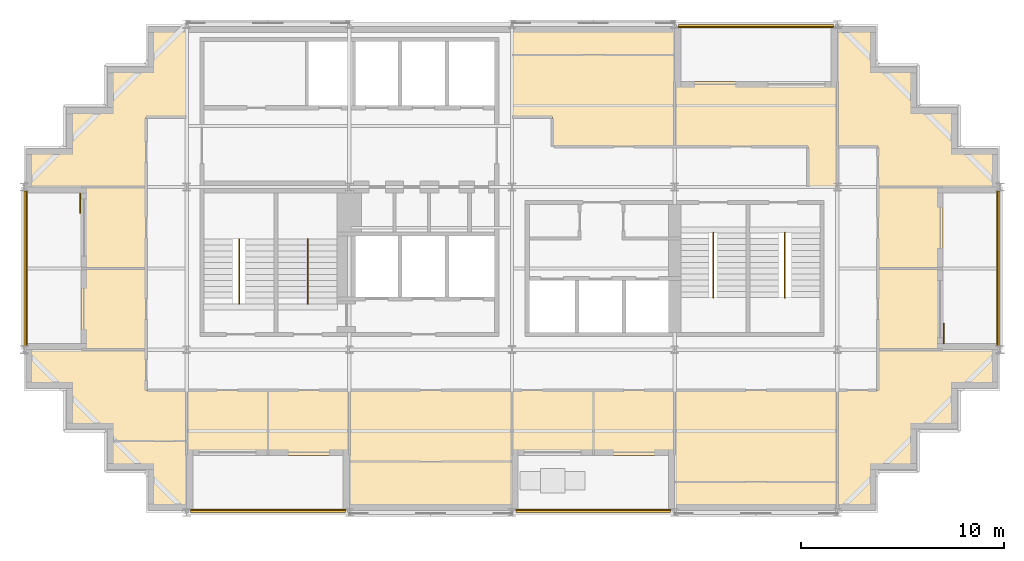
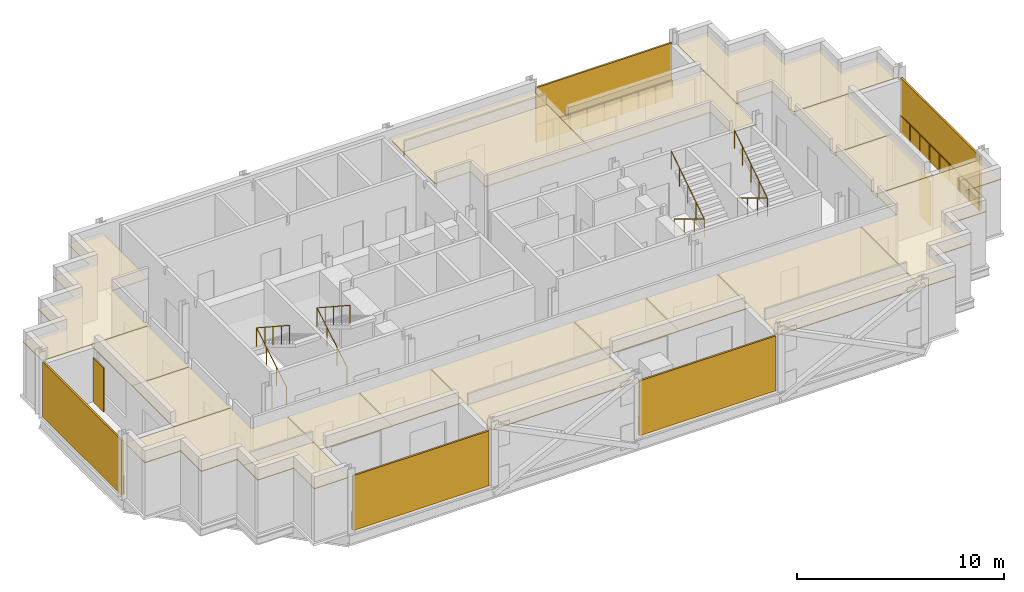
# One storey, part 9 of 10: 20 coverings, 9 railings, 7 shading devices.
"""IFC4 building model written with IfcOpenShell, lengths in metres."""

from ifc_helpers import new_model, si_unit, direction, frame, origin, origin_2d, place, context, subcontext, project, spatial, polyline, rectangle, circle, outline, extrude, material, layer, layer_set, type_object, element, save


model = new_model("IFC4")

# Units and contexts
model_context = context("Model", 3, precision=1e-05, world=origin(), true_north=direction((0.0, 1.0)))
body_context = subcontext(model_context, "Body", "Model", "MODEL_VIEW")
ifc_project = project(units=[si_unit("LENGTHUNIT", "METRE"), si_unit("AREAUNIT", "SQUARE_METRE"), si_unit("VOLUMEUNIT", "CUBIC_METRE"), si_unit("PLANEANGLEUNIT", "RADIAN"), si_unit("MASSUNIT", "GRAM", prefix="KILO")], contexts=[model_context])

# Site, building, storey
site_placement = place(None, origin())
site = spatial("IfcSite", under=ifc_project, at=site_placement, CompositionType="ELEMENT")
building_placement = place(site_placement, origin())
building = spatial("IfcBuilding", under=site, at=building_placement, Name="Immortelle Media Tower", CompositionType="ELEMENT")
storey_placement = place(building_placement, frame((0.0, 0.0, 255.0)))
storey = spatial("IfcBuildingStorey", under=building, at=storey_placement, Name="L55", CompositionType="ELEMENT", Elevation=255.0)

# Railings
ifc_material_1 = material(Name="Powder-coated aluminium fretwork panel, laminated glass backing", Category="aluminium")
railing_type_1 = type_object("IfcRailingType", Name="Fretwork balustrade 1100", PredefinedType="BALUSTRADE", material=ifc_material_1)
railing_1_placement = place(storey_placement, frame((8.197021484375, 0.139892578125, 0.0)))
element("IfcRailing", 1, at=railing_1_placement, inside=storey, type_object=railing_type_1, Name="Fretwork balustrade L55 S0", PredefinedType="BALUSTRADE", context=body_context, shape_type="SweptSolid", body=[
    extrude(circle(Radius=0.02490234375, at=origin_2d()), frame((0.0, 0.0, 1.0751953125), z_axis=(1.0, 0.0, 0.0), x_axis=(0.0, 1.0, 0.0)), (0.0, 0.0, 1.0), 7.6025390625),
    extrude(circle(Radius=0.02001953125, at=origin_2d()), origin(), (0.0, 0.0, 1.0), 1.050048828125),
    extrude(circle(Radius=0.02001953125, at=origin_2d()), frame((0.9501953125, 0.0, 0.0)), (0.0, 0.0, 1.0), 1.050048828125),
    extrude(circle(Radius=0.02001953125, at=origin_2d()), frame((1.900634765625, 0.0, 0.0)), (0.0, 0.0, 1.0), 1.050048828125),
    extrude(circle(Radius=0.02001953125, at=origin_2d()), frame((2.85107421875, 0.0, 0.0)), (0.0, 0.0, 1.0), 1.050048828125),
    extrude(circle(Radius=0.02001953125, at=origin_2d()), frame((3.80126953125, 0.0, 0.0)), (0.0, 0.0, 1.0), 1.050048828125),
    extrude(circle(Radius=0.02001953125, at=origin_2d()), frame((4.75146484375, 0.0, 0.0)), (0.0, 0.0, 1.0), 1.050048828125),
    extrude(circle(Radius=0.02001953125, at=origin_2d()), frame((5.701904296875, 0.0, 0.0)), (0.0, 0.0, 1.0), 1.050048828125),
    extrude(circle(Radius=0.02001953125, at=origin_2d()), frame((6.65234375, 0.0, 0.0)), (0.0, 0.0, 1.0), 1.050048828125),
    extrude(circle(Radius=0.02001953125, at=origin_2d()), frame((7.6025390625, 0.0, 0.0)), (0.0, 0.0, 1.0), 1.050048828125),
])
railing_2_placement = place(storey_placement, frame((24.200439453125, 0.139892578125, 0.0)))
element("IfcRailing", 2, at=railing_2_placement, inside=storey, type_object=railing_type_1, Name="Fretwork balustrade L55 S2", PredefinedType="BALUSTRADE", context=body_context, shape_type="SweptSolid", body=[
    extrude(circle(Radius=0.02490234375, at=origin_2d()), frame((0.0, 0.0, 1.0751953125), z_axis=(1.0, 0.0, 0.0), x_axis=(0.0, 1.0, 0.0)), (0.0, 0.0, 1.0), 7.59912109375),
    extrude(circle(Radius=0.02001953125, at=origin_2d()), origin(), (0.0, 0.0, 1.0), 1.050048828125),
    extrude(circle(Radius=0.02001953125, at=origin_2d()), frame((0.949951171875, 0.0, 0.0)), (0.0, 0.0, 1.0), 1.050048828125),
    extrude(circle(Radius=0.02001953125, at=origin_2d()), frame((1.89990234375, 0.0, 0.0)), (0.0, 0.0, 1.0), 1.050048828125),
    extrude(circle(Radius=0.02001953125, at=origin_2d()), frame((2.849609375, 0.0, 0.0)), (0.0, 0.0, 1.0), 1.050048828125),
    extrude(circle(Radius=0.02001953125, at=origin_2d()), frame((3.799560546875, 0.0, 0.0)), (0.0, 0.0, 1.0), 1.050048828125),
    extrude(circle(Radius=0.02001953125, at=origin_2d()), frame((4.74951171875, 0.0, 0.0)), (0.0, 0.0, 1.0), 1.050048828125),
    extrude(circle(Radius=0.02001953125, at=origin_2d()), frame((5.69921875, 0.0, 0.0)), (0.0, 0.0, 1.0), 1.050048828125),
    extrude(circle(Radius=0.02001953125, at=origin_2d()), frame((6.649169921875, 0.0, 0.0)), (0.0, 0.0, 1.0), 1.050048828125),
    extrude(circle(Radius=0.02001953125, at=origin_2d()), frame((7.59912109375, 0.0, 0.0)), (0.0, 0.0, 1.0), 1.050048828125),
])
railing_3_placement = place(storey_placement, frame((47.860107421875, 8.18798828125, 0.0)))
element("IfcRailing", 3, at=railing_3_placement, inside=storey, type_object=railing_type_1, Name="Fretwork balustrade L55 E0", PredefinedType="BALUSTRADE", context=body_context, shape_type="SweptSolid", body=[
    extrude(circle(Radius=0.02490234375, at=origin_2d()), frame((0.0, 0.0, 1.0751953125), z_axis=(0.0, 1.0, 0.0), x_axis=(-1.0, 0.0, 0.0)), (0.0, 0.0, 1.0), 7.6240234375),
    extrude(circle(Radius=0.02001953125, at=origin_2d()), origin(), (0.0, 0.0, 1.0), 1.050048828125),
    extrude(circle(Radius=0.02001953125, at=origin_2d()), frame((0.0, 0.953125, 0.0)), (0.0, 0.0, 1.0), 1.050048828125),
    extrude(circle(Radius=0.02001953125, at=origin_2d()), frame((0.0, 1.906005859375, 0.0)), (0.0, 0.0, 1.0), 1.050048828125),
    extrude(circle(Radius=0.02001953125, at=origin_2d()), frame((0.0, 2.85888671875, 0.0)), (0.0, 0.0, 1.0), 1.050048828125),
    extrude(circle(Radius=0.02001953125, at=origin_2d()), frame((0.0, 3.81201171875, 0.0)), (0.0, 0.0, 1.0), 1.050048828125),
    extrude(circle(Radius=0.02001953125, at=origin_2d()), frame((0.0, 4.76513671875, 0.0)), (0.0, 0.0, 1.0), 1.050048828125),
    extrude(circle(Radius=0.02001953125, at=origin_2d()), frame((0.0, 5.718017578125, 0.0)), (0.0, 0.0, 1.0), 1.050048828125),
    extrude(circle(Radius=0.02001953125, at=origin_2d()), frame((0.0, 6.6708984375, 0.0)), (0.0, 0.0, 1.0), 1.050048828125),
    extrude(circle(Radius=0.02001953125, at=origin_2d()), frame((0.0, 7.6240234375, 0.0)), (0.0, 0.0, 1.0), 1.050048828125),
])
railing_4_placement = place(storey_placement, frame((39.802978515625, 23.860107421875, 0.0)))
element("IfcRailing", 4, at=railing_4_placement, inside=storey, type_object=railing_type_1, Name="Fretwork balustrade L55 N0", PredefinedType="BALUSTRADE", context=body_context, shape_type="SweptSolid", body=[
    extrude(circle(Radius=0.02490234375, at=origin_2d()), frame((0.0, 0.0, 1.0751953125), z_axis=(-1.0, 0.0, 0.0), x_axis=(0.0, -1.0, 0.0)), (0.0, 0.0, 1.0), 7.6025390625),
    extrude(circle(Radius=0.02001953125, at=origin_2d()), origin(), (0.0, 0.0, 1.0), 1.050048828125),
    extrude(circle(Radius=0.02001953125, at=origin_2d()), frame((-0.9501953125, 0.0, 0.0)), (0.0, 0.0, 1.0), 1.050048828125),
    extrude(circle(Radius=0.02001953125, at=origin_2d()), frame((-1.900634765625, 0.0, 0.0)), (0.0, 0.0, 1.0), 1.050048828125),
    extrude(circle(Radius=0.02001953125, at=origin_2d()), frame((-2.85107421875, 0.0, 0.0)), (0.0, 0.0, 1.0), 1.050048828125),
    extrude(circle(Radius=0.02001953125, at=origin_2d()), frame((-3.80126953125, 0.0, 0.0)), (0.0, 0.0, 1.0), 1.050048828125),
    extrude(circle(Radius=0.02001953125, at=origin_2d()), frame((-4.75146484375, 0.0, 0.0)), (0.0, 0.0, 1.0), 1.050048828125),
    extrude(circle(Radius=0.02001953125, at=origin_2d()), frame((-5.701904296875, 0.0, 0.0)), (0.0, 0.0, 1.0), 1.050048828125),
    extrude(circle(Radius=0.02001953125, at=origin_2d()), frame((-6.65234375, 0.0, 0.0)), (0.0, 0.0, 1.0), 1.050048828125),
    extrude(circle(Radius=0.02001953125, at=origin_2d()), frame((-7.6025390625, 0.0, 0.0)), (0.0, 0.0, 1.0), 1.050048828125),
])
railing_5_placement = place(storey_placement, frame((0.139892578125, 15.81201171875, 0.0)))
element("IfcRailing", 5, at=railing_5_placement, inside=storey, type_object=railing_type_1, Name="Fretwork balustrade L55 W0", PredefinedType="BALUSTRADE", context=body_context, shape_type="SweptSolid", body=[
    extrude(circle(Radius=0.02490234375, at=origin_2d()), frame((0.0, 0.0, 1.0751953125), z_axis=(0.0, -1.0, 0.0), x_axis=(1.0, 0.0, 0.0)), (0.0, 0.0, 1.0), 7.6240234375),
    extrude(circle(Radius=0.02001953125, at=origin_2d()), origin(), (0.0, 0.0, 1.0), 1.050048828125),
    extrude(circle(Radius=0.02001953125, at=origin_2d()), frame((0.0, -0.953125, 0.0)), (0.0, 0.0, 1.0), 1.050048828125),
    extrude(circle(Radius=0.02001953125, at=origin_2d()), frame((0.0, -1.906005859375, 0.0)), (0.0, 0.0, 1.0), 1.050048828125),
    extrude(circle(Radius=0.02001953125, at=origin_2d()), frame((0.0, -2.85888671875, 0.0)), (0.0, 0.0, 1.0), 1.050048828125),
    extrude(circle(Radius=0.02001953125, at=origin_2d()), frame((0.0, -3.81201171875, 0.0)), (0.0, 0.0, 1.0), 1.050048828125),
    extrude(circle(Radius=0.02001953125, at=origin_2d()), frame((0.0, -4.76513671875, 0.0)), (0.0, 0.0, 1.0), 1.050048828125),
    extrude(circle(Radius=0.02001953125, at=origin_2d()), frame((0.0, -5.718017578125, 0.0)), (0.0, 0.0, 1.0), 1.050048828125),
    extrude(circle(Radius=0.02001953125, at=origin_2d()), frame((0.0, -6.6708984375, 0.0)), (0.0, 0.0, 1.0), 1.050048828125),
    extrude(circle(Radius=0.02001953125, at=origin_2d()), frame((0.0, -7.6240234375, 0.0)), (0.0, 0.0, 1.0), 1.050048828125),
])

# Shading devices
ifc_material_2 = material(Name="Pale aluminium louvre blades", Category="aluminium")
ifc_layer_1 = layer(ifc_material_2, 0.10009765625)
ifc_layer_set_1 = layer_set([ifc_layer_1], Name="Pale aluminium louvre blades")
shading_device_type_1 = type_object("IfcShadingDeviceType", Name="Jalousie screen 100", PredefinedType="JALOUSIE", material=ifc_layer_set_1)
shading_device_1_placement = place(storey_placement, frame((11.998291015625, 0.050048828125, 0.0), z_axis=(0.0, 0.0, 1.0), x_axis=(1.0, 0.0, 0.0)))
element("IfcShadingDevice", 6, at=shading_device_1_placement, inside=storey, type_object=shading_device_type_1, Name="Jalousie screen L55 S0", PredefinedType="JALOUSIE", context=body_context, shape_type="SweptSolid", body=[
    extrude(rectangle(XDim=7.6025390625, YDim=0.10009765625, at=origin_2d()), origin(), (0.0, 0.0, 1.0), 3.238037109375),
])
shading_device_2_placement = place(storey_placement, frame((28.0, 0.050048828125, 0.0), z_axis=(0.0, 0.0, 1.0), x_axis=(1.0, 0.0, 0.0)))
element("IfcShadingDevice", 7, at=shading_device_2_placement, inside=storey, type_object=shading_device_type_1, Name="Jalousie screen L55 S2", PredefinedType="JALOUSIE", context=body_context, shape_type="SweptSolid", body=[
    extrude(rectangle(XDim=7.59912109375, YDim=0.10009765625, at=origin_2d()), origin(), (0.0, 0.0, 1.0), 3.238037109375),
])
shading_device_3_placement = place(storey_placement, frame((47.949951171875, 12.0, 0.0), z_axis=(0.0, 0.0, 1.0), x_axis=(0.0, 1.0, 0.0)))
element("IfcShadingDevice", 8, at=shading_device_3_placement, inside=storey, type_object=shading_device_type_1, Name="Jalousie screen L55 E0", PredefinedType="JALOUSIE", context=body_context, shape_type="SweptSolid", body=[
    extrude(rectangle(XDim=7.6240234375, YDim=0.10009765625, at=origin_2d()), origin(), (0.0, 0.0, 1.0), 3.238037109375),
])
shading_device_4_placement = place(storey_placement, frame((36.001708984375, 23.949951171875, 0.0), z_axis=(0.0, 0.0, 1.0), x_axis=(-1.0, 0.0, 0.0)))
element("IfcShadingDevice", 9, at=shading_device_4_placement, inside=storey, type_object=shading_device_type_1, Name="Jalousie screen L55 N0", PredefinedType="JALOUSIE", context=body_context, shape_type="SweptSolid", body=[
    extrude(rectangle(XDim=7.6025390625, YDim=0.10009765625, at=origin_2d()), origin(), (0.0, 0.0, 1.0), 3.238037109375),
])
shading_device_5_placement = place(storey_placement, frame((0.050048828125, 12.0, 0.0), z_axis=(0.0, 0.0, 1.0), x_axis=(0.0, -1.0, 0.0)))
element("IfcShadingDevice", 10, at=shading_device_5_placement, inside=storey, type_object=shading_device_type_1, Name="Jalousie screen L55 W0", PredefinedType="JALOUSIE", context=body_context, shape_type="SweptSolid", body=[
    extrude(rectangle(XDim=7.6240234375, YDim=0.10009765625, at=origin_2d()), origin(), (0.0, 0.0, 1.0), 3.238037109375),
])
ifc_material_3 = material(Name="Pale aluminium louvre blades in a folding frame", Category="aluminium")
ifc_layer_2 = layer(ifc_material_3, 0.050048828125)
ifc_layer_set_2 = layer_set([ifc_layer_2], Name="Pale aluminium louvre blades in a folding frame")
shading_device_type_2 = type_object("IfcShadingDeviceType", Name="Louvred loggia shutter", PredefinedType="SHUTTER", material=ifc_layer_set_2)
for number, where, z_axis, x_axis, name in (
    (11, (45.22509765625, 8.800048828125, 0.0), (0.0, 0.0, 1.0), (0.0, 1.0, 0.0), "Loggia shutter L55 E0"),
    (12, (2.77490234375, 15.199951171875, 0.0), (0.0, 0.0, 1.0), (0.0, -1.0, 0.0), "Loggia shutter L55 W0"),
):
    element("IfcShadingDevice", number, at=place(storey_placement, frame(where, z_axis=z_axis, x_axis=x_axis)), inside=storey, type_object=shading_device_type_2, Name=name, PredefinedType="SHUTTER", context=body_context, shape_type="SweptSolid", body=[
        extrude(rectangle(XDim=1.0, YDim=0.050048828125, at=origin_2d()), origin(), (0.0, 0.0, 1.0), 2.60009765625),
    ])

# Railings
ifc_material_4 = material(Name="Stainless steel AISI 316", Category="steel")
railing_type_2 = type_object("IfcRailingType", Name="Stair guard 1100", PredefinedType="GUARDRAIL", material=ifc_material_4)
for number, where, name in (
    (13, (10.574951171875, 10.5400390625, 0.173828125), "Stair guard SW1"),
    (14, (13.949951171875, 10.5400390625, 0.173828125), "Stair guard SW2"),
):
    element("IfcRailing", number, at=place(storey_placement, frame(where)), inside=storey, type_object=railing_type_2, Name=name, PredefinedType="GUARDRAIL", context=body_context, shape_type="SweptSolid", body=[
        extrude(circle(Radius=0.02392578125, at=origin_2d()), frame((0.0, 0.0, 1.076171875), z_axis=(0.0, 0.857582100076, 0.514347102285), x_axis=(-1.0, 0.0, 0.0)), (0.0, 0.0, 1.0), 3.381591796875),
        extrude(circle(Radius=0.02392578125, at=origin_2d()), frame((0.0, 2.89990234375, 2.8154296875), z_axis=(0.0, -0.836827423118, 0.547466769693), x_axis=(1.0, 0.0, 0.0)), (0.0, 0.0, 1.0), 3.81201171875),
        extrude(circle(Radius=0.02099609375, at=origin_2d()), origin(), (0.0, 0.0, 1.0), 1.052001953125),
        extrude(circle(Radius=0.02099609375, at=origin_2d()), frame((0.0, 0.966552734375, 0.579833984375)), (0.0, 0.0, 1.0), 1.052001953125),
        extrude(circle(Radius=0.02099609375, at=origin_2d()), frame((0.0, 1.933349609375, 1.159423828125)), (0.0, 0.0, 1.0), 1.052001953125),
        extrude(circle(Radius=0.02099609375, at=origin_2d()), frame((0.0, 2.89990234375, 1.7392578125)), (0.0, 0.0, 1.0), 1.052001953125),
        extrude(circle(Radius=0.02099609375, at=origin_2d()), frame((0.0, 2.1025390625, 2.260986328125)), (0.0, 0.0, 1.0), 1.052001953125),
        extrude(circle(Radius=0.02099609375, at=origin_2d()), frame((0.0, 1.304931640625, 2.78271484375)), (0.0, 0.0, 1.0), 1.052001953125),
        extrude(circle(Radius=0.02099609375, at=origin_2d()), frame((0.0, 0.50732421875, 3.304443359375)), (0.0, 0.0, 1.0), 1.052001953125),
        extrude(circle(Radius=0.02099609375, at=origin_2d()), frame((0.0, -0.2900390625, 3.826171875)), (0.0, 0.0, 1.0), 1.052001953125),
    ])
for number, where, name in (
    (15, (33.89990234375, 13.4599609375, 0.173828125), "Stair guard SE1"),
    (16, (37.425048828125, 13.4599609375, 0.173828125), "Stair guard SE2"),
):
    element("IfcRailing", number, at=place(storey_placement, frame(where)), inside=storey, type_object=railing_type_2, Name=name, PredefinedType="GUARDRAIL", context=body_context, shape_type="SweptSolid", body=[
        extrude(circle(Radius=0.02392578125, at=origin_2d()), frame((0.0, 0.0, 1.076171875), z_axis=(0.0, -0.857582100076, 0.514347102285), x_axis=(1.0, 0.0, 0.0)), (0.0, 0.0, 1.0), 3.381591796875),
        extrude(circle(Radius=0.02392578125, at=origin_2d()), frame((0.0, -2.89990234375, 2.8154296875), z_axis=(0.0, 0.836827423118, 0.547466769693), x_axis=(-1.0, 0.0, 0.0)), (0.0, 0.0, 1.0), 3.81201171875),
        extrude(circle(Radius=0.02099609375, at=origin_2d()), origin(), (0.0, 0.0, 1.0), 1.052001953125),
        extrude(circle(Radius=0.02099609375, at=origin_2d()), frame((0.0, -0.966552734375, 0.579833984375)), (0.0, 0.0, 1.0), 1.052001953125),
        extrude(circle(Radius=0.02099609375, at=origin_2d()), frame((0.0, -1.933349609375, 1.159423828125)), (0.0, 0.0, 1.0), 1.052001953125),
        extrude(circle(Radius=0.02099609375, at=origin_2d()), frame((0.0, -2.89990234375, 1.7392578125)), (0.0, 0.0, 1.0), 1.052001953125),
        extrude(circle(Radius=0.02099609375, at=origin_2d()), frame((0.0, -2.1025390625, 2.260986328125)), (0.0, 0.0, 1.0), 1.052001953125),
        extrude(circle(Radius=0.02099609375, at=origin_2d()), frame((0.0, -1.304931640625, 2.78271484375)), (0.0, 0.0, 1.0), 1.052001953125),
        extrude(circle(Radius=0.02099609375, at=origin_2d()), frame((0.0, -0.50732421875, 3.304443359375)), (0.0, 0.0, 1.0), 1.052001953125),
        extrude(circle(Radius=0.02099609375, at=origin_2d()), frame((0.0, 0.2900390625, 3.826171875)), (0.0, 0.0, 1.0), 1.052001953125),
    ])

# Coverings
ifc_material_5 = material(Name="Mineral fibre tile ceiling")
ifc_layer_3 = layer(ifc_material_5, 0.050048828125)
ifc_layer_set_3 = layer_set([ifc_layer_3], Name="Mineral fibre tile ceiling")
covering_type = type_object("IfcCoveringType", Name="Suspended ceiling 50", PredefinedType="CEILING", material=ifc_layer_set_3)
covering_1_placement = place(storey_placement, frame((0.0, 0.0, 3.1220703125)))
element("IfcCovering", 17, at=covering_1_placement, inside=storey, type_object=covering_type, Name="Ceiling L55-001", PredefinedType="CEILING", context=body_context, shape_type="SweptSolid", body=[
    extrude(outline(polyline([(16.0, 2.800048828125), (16.0, 6.0), (24.0, 6.0), (24.0, 2.800048828125), (24.0, 2.5), (16.0, 2.5), (16.0, 2.800048828125)])), origin(), (0.0, 0.0, 1.0), 0.050048828125),
])
covering_2_placement = place(storey_placement, frame((0.0, 0.0, 3.1220703125)))
element("IfcCovering", 18, at=covering_2_placement, inside=storey, type_object=covering_type, Name="Ceiling L55-002", PredefinedType="CEILING", context=body_context, shape_type="SweptSolid", body=[
    extrude(outline(polyline([(16.0, 2.5), (24.0, 2.5), (24.0, 0.10009765625), (16.0, 0.10009765625), (16.0, 2.5)])), origin(), (0.0, 0.0, 1.0), 0.050048828125),
])
covering_3_placement = place(storey_placement, frame((0.0, 0.0, 3.1220703125)))
element("IfcCovering", 19, at=covering_3_placement, inside=storey, type_object=covering_type, Name="Ceiling L55-003", PredefinedType="CEILING", context=body_context, shape_type="SweptSolid", body=[
    extrude(outline(polyline([(32.0, 2.800048828125), (32.0, 6.0), (40.0, 6.0), (40.0, 1.5), (32.0, 1.5), (32.0, 2.800048828125)])), origin(), (0.0, 0.0, 1.0), 0.050048828125),
])
covering_4_placement = place(storey_placement, frame((0.0, 0.0, 3.1220703125)))
element("IfcCovering", 20, at=covering_4_placement, inside=storey, type_object=covering_type, Name="Ceiling L55-004", PredefinedType="CEILING", context=body_context, shape_type="SweptSolid", body=[
    extrude(outline(polyline([(32.0, 1.5), (40.0, 1.5), (40.0, 0.10009765625), (32.0, 0.10009765625), (32.0, 1.5)])), origin(), (0.0, 0.0, 1.0), 0.050048828125),
])
covering_5_placement = place(storey_placement, frame((0.0, 0.0, 3.1220703125)))
element("IfcCovering", 21, at=covering_5_placement, inside=storey, type_object=covering_type, Name="Ceiling L55-005", PredefinedType="CEILING", context=body_context, shape_type="SweptSolid", body=[
    extrude(outline(polyline([(8.0, 6.0), (12.0, 6.0), (12.0, 2.800048828125), (8.0, 2.800048828125), (8.0, 6.0)])), origin(), (0.0, 0.0, 1.0), 0.050048828125),
])
covering_6_placement = place(storey_placement, frame((0.0, 0.0, 3.1220703125)))
element("IfcCovering", 22, at=covering_6_placement, inside=storey, type_object=covering_type, Name="Ceiling L55-006", PredefinedType="CEILING", context=body_context, shape_type="SweptSolid", body=[
    extrude(outline(polyline([(16.0, 6.0), (16.0, 2.800048828125), (12.0, 2.800048828125), (12.0, 6.0), (16.0, 6.0)])), origin(), (0.0, 0.0, 1.0), 0.050048828125),
])
covering_7_placement = place(storey_placement, frame((0.0, 0.0, 3.1220703125)))
element("IfcCovering", 23, at=covering_7_placement, inside=storey, type_object=covering_type, Name="Ceiling L55-007", PredefinedType="CEILING", context=body_context, shape_type="SweptSolid", body=[
    extrude(outline(polyline([(24.0, 6.0), (26.0, 6.0), (28.0, 6.0), (28.0, 2.800048828125), (24.0, 2.800048828125), (24.0, 6.0)])), origin(), (0.0, 0.0, 1.0), 0.050048828125),
])
covering_8_placement = place(storey_placement, frame((0.0, 0.0, 3.1220703125)))
element("IfcCovering", 24, at=covering_8_placement, inside=storey, type_object=covering_type, Name="Ceiling L55-008", PredefinedType="CEILING", context=body_context, shape_type="SweptSolid", body=[
    extrude(outline(polyline([(32.0, 6.0), (32.0, 2.800048828125), (28.0, 2.800048828125), (28.0, 6.0), (32.0, 6.0)])), origin(), (0.0, 0.0, 1.0), 0.050048828125),
])
covering_9_placement = place(storey_placement, frame((0.0, 0.0, 3.1220703125)))
element("IfcCovering", 25, at=covering_9_placement, inside=storey, type_object=covering_type, Name="Ceiling L55-009", PredefinedType="CEILING", context=body_context, shape_type="SweptSolid", body=[
    extrude(outline(polyline([(4.10009765625, 4.10009765625), (4.0, 4.10009765625), (2.10009765625, 4.10009765625), (2.10009765625, 6.10009765625), (0.10009765625, 6.10009765625), (0.10009765625, 8.0), (2.800048828125, 8.0), (4.0, 8.0), (6.0, 8.0), (6.0, 6.0), (8.0, 6.0), (8.0, 3.5), (4.10009765625, 3.5), (4.10009765625, 4.10009765625)])), origin(), (0.0, 0.0, 1.0), 0.050048828125),
])
covering_10_placement = place(storey_placement, frame((0.0, 0.0, 3.1220703125)))
element("IfcCovering", 26, at=covering_10_placement, inside=storey, type_object=covering_type, Name="Ceiling L55-010", PredefinedType="CEILING", context=body_context, shape_type="SweptSolid", body=[
    extrude(outline(polyline([(4.10009765625, 3.5), (8.0, 3.5), (8.0, 2.800048828125), (8.0, 0.10009765625), (6.10009765625, 0.10009765625), (6.10009765625, 2.10009765625), (4.10009765625, 2.10009765625), (4.10009765625, 3.5)])), origin(), (0.0, 0.0, 1.0), 0.050048828125),
])
covering_11_placement = place(storey_placement, frame((0.0, 0.0, 3.1220703125)))
element("IfcCovering", 27, at=covering_11_placement, inside=storey, type_object=covering_type, Name="Ceiling L55-011", PredefinedType="CEILING", context=body_context, shape_type="SweptSolid", body=[
    extrude(outline(polyline([(45.89990234375, 6.10009765625), (45.89990234375, 4.10009765625), (43.89990234375, 4.10009765625), (43.89990234375, 2.10009765625), (41.89990234375, 2.10009765625), (41.89990234375, 0.10009765625), (40.0, 0.10009765625), (40.0, 6.0), (42.0, 6.0), (42.0, 8.0), (45.199951171875, 8.0), (47.89990234375, 8.0), (47.89990234375, 6.10009765625), (45.89990234375, 6.10009765625)])), origin(), (0.0, 0.0, 1.0), 0.050048828125),
])
covering_12_placement = place(storey_placement, frame((0.0, 0.0, 3.1220703125)))
element("IfcCovering", 28, at=covering_12_placement, inside=storey, type_object=covering_type, Name="Ceiling L55-012", PredefinedType="CEILING", context=body_context, shape_type="SweptSolid", body=[
    extrude(outline(polyline([(2.800048828125, 8.0), (2.800048828125, 12.0), (6.0, 12.0), (6.0, 8.0), (2.800048828125, 8.0)])), origin(), (0.0, 0.0, 1.0), 0.050048828125),
])
covering_13_placement = place(storey_placement, frame((0.0, 0.0, 3.1220703125)))
element("IfcCovering", 29, at=covering_13_placement, inside=storey, type_object=covering_type, Name="Ceiling L55-013", PredefinedType="CEILING", context=body_context, shape_type="SweptSolid", body=[
    extrude(outline(polyline([(2.800048828125, 16.0), (6.0, 16.0), (6.0, 12.0), (2.800048828125, 12.0), (2.800048828125, 16.0)])), origin(), (0.0, 0.0, 1.0), 0.050048828125),
])
covering_14_placement = place(storey_placement, frame((0.0, 0.0, 3.1220703125)))
element("IfcCovering", 30, at=covering_14_placement, inside=storey, type_object=covering_type, Name="Ceiling L55-014", PredefinedType="CEILING", context=body_context, shape_type="SweptSolid", body=[
    extrude(outline(polyline([(42.0, 8.0), (42.0, 12.0), (45.199951171875, 12.0), (45.199951171875, 8.0), (42.0, 8.0)])), origin(), (0.0, 0.0, 1.0), 0.050048828125),
])
covering_15_placement = place(storey_placement, frame((0.0, 0.0, 3.1220703125)))
element("IfcCovering", 31, at=covering_15_placement, inside=storey, type_object=covering_type, Name="Ceiling L55-015", PredefinedType="CEILING", context=body_context, shape_type="SweptSolid", body=[
    extrude(outline(polyline([(42.0, 16.0), (45.199951171875, 16.0), (45.199951171875, 12.0), (42.0, 12.0), (42.0, 16.0)])), origin(), (0.0, 0.0, 1.0), 0.050048828125),
])
covering_16_placement = place(storey_placement, frame((0.0, 0.0, 3.1220703125)))
element("IfcCovering", 32, at=covering_16_placement, inside=storey, type_object=covering_type, Name="Ceiling L55-016", PredefinedType="CEILING", context=body_context, shape_type="SweptSolid", body=[
    extrude(outline(polyline([(2.800048828125, 16.0), (0.10009765625, 16.0), (0.10009765625, 17.89990234375), (2.10009765625, 17.89990234375), (2.10009765625, 19.89990234375), (4.10009765625, 19.89990234375), (4.10009765625, 20.0), (4.10009765625, 21.89990234375), (6.10009765625, 21.89990234375), (6.10009765625, 23.89990234375), (8.0, 23.89990234375), (8.0, 20.0), (8.0, 19.449951171875), (6.0, 19.449951171875), (6.0, 16.0), (2.800048828125, 16.0)])), origin(), (0.0, 0.0, 1.0), 0.050048828125),
])
covering_17_placement = place(storey_placement, frame((0.0, 0.0, 3.1220703125)))
element("IfcCovering", 33, at=covering_17_placement, inside=storey, type_object=covering_type, Name="Ceiling L55-017", PredefinedType="CEILING", context=body_context, shape_type="SweptSolid", body=[
    extrude(outline(polyline([(45.89990234375, 19.89990234375), (45.89990234375, 17.89990234375), (47.89990234375, 17.89990234375), (47.89990234375, 16.0), (45.199951171875, 16.0), (44.0, 16.0), (42.0, 16.0), (42.0, 18.0), (40.0, 18.0), (40.0, 21.199951171875), (40.0, 23.89990234375), (41.89990234375, 23.89990234375), (41.89990234375, 21.89990234375), (43.89990234375, 21.89990234375), (43.89990234375, 19.89990234375), (44.0, 19.89990234375), (45.89990234375, 19.89990234375)])), origin(), (0.0, 0.0, 1.0), 0.050048828125),
])
covering_18_placement = place(storey_placement, frame((0.0, 0.0, 3.1220703125)))
element("IfcCovering", 34, at=covering_18_placement, inside=storey, type_object=covering_type, Name="Ceiling L55-018", PredefinedType="CEILING", context=body_context, shape_type="SweptSolid", body=[
    extrude(outline(polyline([(38.550048828125, 16.0), (38.550048828125, 18.0), (32.0, 18.0), (32.0, 21.199951171875), (40.0, 21.199951171875), (40.0, 18.0), (40.0, 16.0), (38.550048828125, 16.0)])), origin(), (0.0, 0.0, 1.0), 0.050048828125),
])
covering_19_placement = place(storey_placement, frame((0.0, 0.0, 3.1220703125)))
element("IfcCovering", 35, at=covering_19_placement, inside=storey, type_object=covering_type, Name="Ceiling L55-019", PredefinedType="CEILING", context=body_context, shape_type="SweptSolid", body=[
    extrude(outline(polyline([(26.0, 18.0), (26.0, 19.449951171875), (24.0, 19.449951171875), (24.0, 21.199951171875), (24.0, 22.5), (32.0, 22.5), (32.0, 21.199951171875), (32.0, 18.0), (27.0, 18.0), (26.0, 18.0)])), origin(), (0.0, 0.0, 1.0), 0.050048828125),
])
covering_20_placement = place(storey_placement, frame((0.0, 0.0, 3.1220703125)))
element("IfcCovering", 36, at=covering_20_placement, inside=storey, type_object=covering_type, Name="Ceiling L55-020", PredefinedType="CEILING", context=body_context, shape_type="SweptSolid", body=[
    extrude(outline(polyline([(24.0, 23.89990234375), (32.0, 23.89990234375), (32.0, 22.5), (24.0, 22.5), (24.0, 23.89990234375)])), origin(), (0.0, 0.0, 1.0), 0.050048828125),
])

save(model, "model.ifc")
